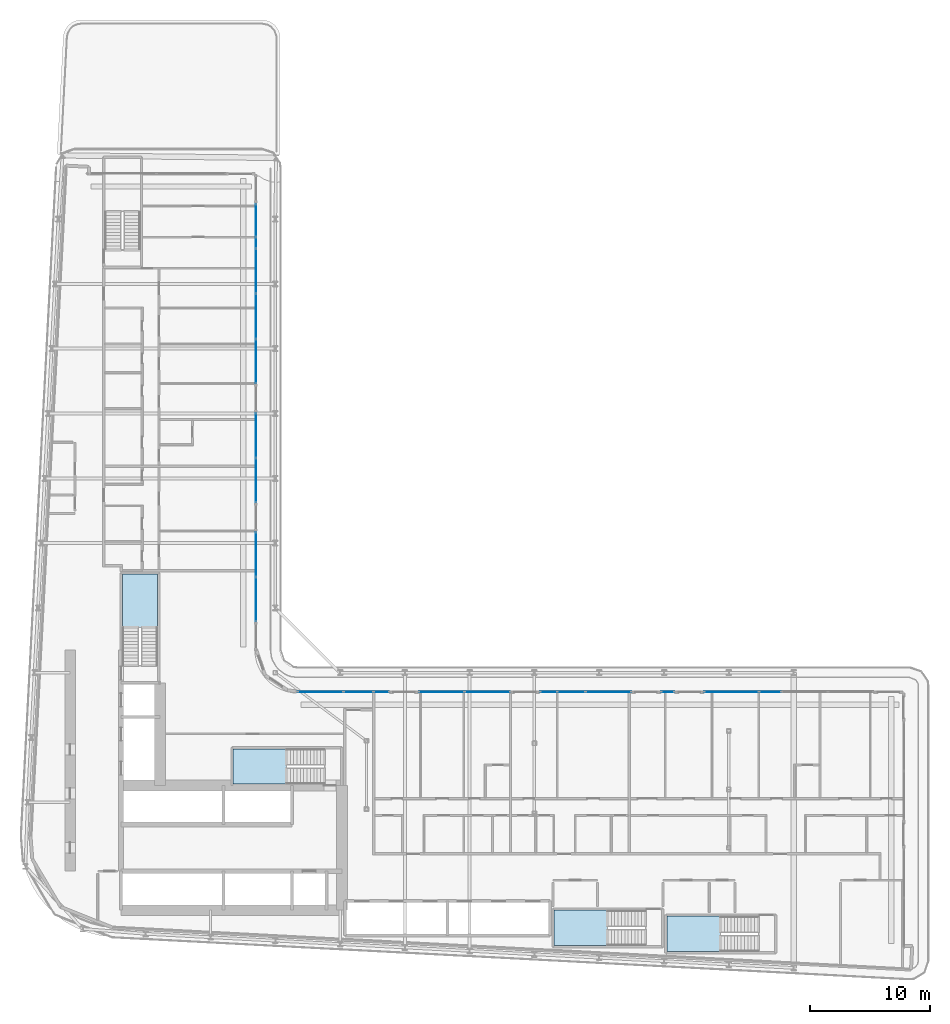
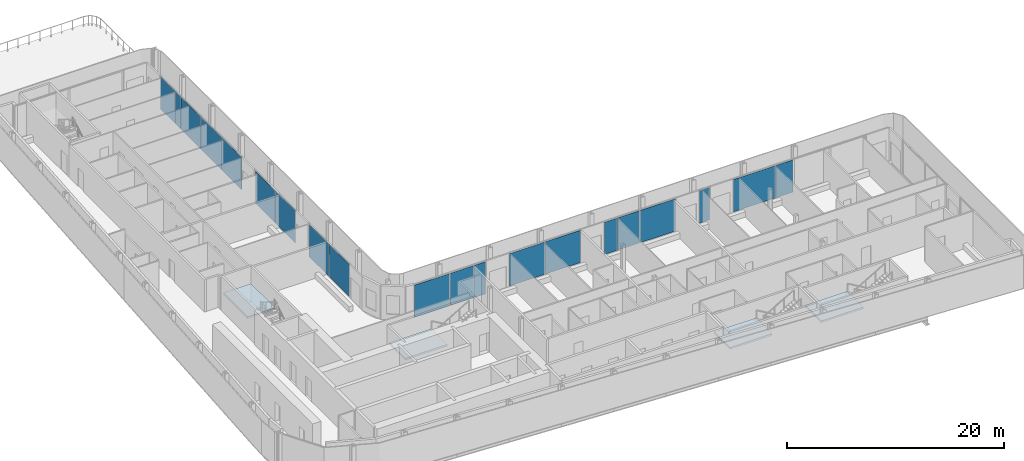
# One storey, part 10 of 28: 20 plates, 4 slabs, 13 elements without a shape of their own.
"""IFC4 building model written with IfcOpenShell, lengths in metres."""

from ifc_helpers import new_model, si_unit, direction, frame, origin, origin_2d, place, context, subcontext, project, spatial, polyline, rectangle, outline, extrude, material, layer, layer_set, type_object, element, aggregate, save


model = new_model("IFC4")

# Units and contexts
model_context = context("Model", 3, precision=1e-05, world=origin(), true_north=direction((0.0, 1.0)))
body_context = subcontext(model_context, "Body", "Model", "MODEL_VIEW")
ifc_project = project(units=[si_unit("LENGTHUNIT", "METRE"), si_unit("AREAUNIT", "SQUARE_METRE"), si_unit("VOLUMEUNIT", "CUBIC_METRE"), si_unit("PLANEANGLEUNIT", "RADIAN"), si_unit("MASSUNIT", "GRAM", prefix="KILO")], contexts=[model_context])

# Site, building, storey
site_placement = place(None, origin())
site = spatial("IfcSite", under=ifc_project, at=site_placement, CompositionType="ELEMENT")
building_placement = place(site_placement, origin())
building = spatial("IfcBuilding", under=site, at=building_placement, Name="Kheshtan School and Residences Tower", CompositionType="ELEMENT")
storey_placement = place(building_placement, frame((0.0, 0.0, 94.10009765625)))
storey = spatial("IfcBuildingStorey", under=building, at=storey_placement, Name="L21", CompositionType="ELEMENT", Elevation=94.10009765625)

# Curtain wall, plates
ifc_material_1 = material(Name="Clear low-e glass in thermally broken aluminium frame", Category="aluminium")
ifc_layer_1 = layer(ifc_material_1, 0.199951171875)
ifc_layer_set_1 = layer_set([ifc_layer_1], Name="Curtain wall CW-L")
curtain_wall_type = type_object("IfcCurtainWallType", Name="Curtain wall CW-L", PredefinedType="NOTDEFINED", material=ifc_layer_set_1)
curtain_wall_1_placement = place(storey_placement, origin())
curtain_wall_1 = element("IfcCurtainWall", 1, at=curtain_wall_1_placement, inside=storey, type_object=curtain_wall_type, Name="Curtain wall CWL4", PredefinedType="NOTDEFINED")
ifc_layer_2 = layer(ifc_material_1, 0.031982421875)
ifc_layer_set_2 = layer_set([ifc_layer_2], Name="CW-L glass panel")
plate_type = type_object("IfcPlateType", Name="CW-L glass panel", PredefinedType="CURTAIN_PANEL", material=ifc_layer_set_2)
plate_1_placement = place(storey_placement, frame((46.0, 83.284912109375, 0.0), z_axis=(0.0, 0.0, 1.0), x_axis=(0.0, -1.0, 0.0)))
plate_1 = element("IfcPlate", 2, at=plate_1_placement, type_object=plate_type, Name="CWL4 panel 1.1", PredefinedType="CURTAIN_PANEL", context=body_context, shape_type="SweptSolid", body=[
    extrude(rectangle(XDim=2.7099609375, YDim=0.031982421875, at=origin_2d()), origin(), (0.0, 0.0, 1.0), 3.6298828125),
])
plate_2_placement = place(storey_placement, frame((46.0, 81.420654296875, 0.0), z_axis=(0.0, 0.0, 1.0), x_axis=(0.0, -1.0, 0.0)))
plate_2 = element("IfcPlate", 3, at=plate_2_placement, type_object=plate_type, Name="CWL4 panel 2.1", PredefinedType="CURTAIN_PANEL", context=body_context, shape_type="SweptSolid", body=[
    extrude(rectangle(XDim=0.898681640625, YDim=0.031982421875, at=origin_2d()), origin(), (0.0, 0.0, 1.0), 3.6298828125),
])
plate_3_placement = place(storey_placement, frame((46.0, 79.076904296875, 0.0), z_axis=(0.0, 0.0, 1.0), x_axis=(0.0, -1.0, 0.0)))
plate_3 = element("IfcPlate", 4, at=plate_3_placement, type_object=plate_type, Name="CWL4 panel 3.1", PredefinedType="CURTAIN_PANEL", context=body_context, shape_type="SweptSolid", body=[
    extrude(rectangle(XDim=3.668701171875, YDim=0.031982421875, at=origin_2d()), origin(), (0.0, 0.0, 1.0), 3.6298828125),
])
aggregate(curtain_wall_1, [plate_1, plate_2, plate_3])

curtain_wall_2_placement = place(storey_placement, origin())
curtain_wall_2 = element("IfcCurtainWall", 5, at=curtain_wall_2_placement, inside=storey, type_object=curtain_wall_type, Name="Curtain wall CWL4a", PredefinedType="NOTDEFINED")
plate_4_placement = place(storey_placement, frame((46.0, 75.318115234375, 0.0), z_axis=(0.0, 0.0, 1.0), x_axis=(0.0, -1.0, 0.0)))
plate_4 = element("IfcPlate", 6, at=plate_4_placement, type_object=plate_type, Name="CWL4a panel 1.1", PredefinedType="CURTAIN_PANEL", context=body_context, shape_type="SweptSolid", body=[
    extrude(rectangle(XDim=3.728759765625, YDim=0.031982421875, at=origin_2d()), origin(), (0.0, 0.0, 1.0), 3.6298828125),
])
plate_5_placement = place(storey_placement, frame((46.0, 71.559326171875, 0.0), z_axis=(0.0, 0.0, 1.0), x_axis=(0.0, -1.0, 0.0)))
plate_5 = element("IfcPlate", 7, at=plate_5_placement, type_object=plate_type, Name="CWL4a panel 2.1", PredefinedType="CURTAIN_PANEL", context=body_context, shape_type="SweptSolid", body=[
    extrude(rectangle(XDim=3.668701171875, YDim=0.031982421875, at=origin_2d()), origin(), (0.0, 0.0, 1.0), 3.6298828125),
])
aggregate(curtain_wall_2, [plate_4, plate_5])

curtain_wall_3_placement = place(storey_placement, origin())
curtain_wall_3 = element("IfcCurtainWall", 8, at=curtain_wall_3_placement, inside=storey, type_object=curtain_wall_type, Name="Curtain wall CWL4a", PredefinedType="NOTDEFINED")
plate_6_placement = place(storey_placement, frame((46.0, 65.37060546875, 0.0), z_axis=(0.0, 0.0, 1.0), x_axis=(0.0, -1.0, 0.0)))
plate_6 = element("IfcPlate", 9, at=plate_6_placement, type_object=plate_type, Name="CWL4a panel 1.1", PredefinedType="CURTAIN_PANEL", context=body_context, shape_type="SweptSolid", body=[
    extrude(rectangle(XDim=3.668701171875, YDim=0.031982421875, at=origin_2d()), origin(), (0.0, 0.0, 1.0), 3.6298828125),
])
plate_7_placement = place(storey_placement, frame((46.0, 61.641845703125, 0.0), z_axis=(0.0, 0.0, 1.0), x_axis=(0.0, -1.0, 0.0)))
plate_7 = element("IfcPlate", 10, at=plate_7_placement, type_object=plate_type, Name="CWL4a panel 2.1", PredefinedType="CURTAIN_PANEL", context=body_context, shape_type="SweptSolid", body=[
    extrude(rectangle(XDim=3.668701171875, YDim=0.031982421875, at=origin_2d()), origin(), (0.0, 0.0, 1.0), 3.6298828125),
])
aggregate(curtain_wall_3, [plate_6, plate_7])

curtain_wall_4_placement = place(storey_placement, origin())
curtain_wall_4 = element("IfcCurtainWall", 11, at=curtain_wall_4_placement, inside=storey, type_object=curtain_wall_type, Name="Curtain wall CWL4a", PredefinedType="NOTDEFINED")
plate_8_placement = place(storey_placement, frame((46.0, 55.453125, 0.0), z_axis=(0.0, 0.0, 1.0), x_axis=(0.0, -1.0, 0.0)))
plate_8 = element("IfcPlate", 12, at=plate_8_placement, type_object=plate_type, Name="CWL4a panel 1.1", PredefinedType="CURTAIN_PANEL", context=body_context, shape_type="SweptSolid", body=[
    extrude(rectangle(XDim=3.668701171875, YDim=0.031982421875, at=origin_2d()), origin(), (0.0, 0.0, 1.0), 3.6298828125),
])
plate_9_placement = place(storey_placement, frame((46.0, 51.724365234375, 0.0), z_axis=(0.0, 0.0, 1.0), x_axis=(0.0, -1.0, 0.0)))
plate_9 = element("IfcPlate", 13, at=plate_9_placement, type_object=plate_type, Name="CWL4a panel 2.1", PredefinedType="CURTAIN_PANEL", context=body_context, shape_type="SweptSolid", body=[
    extrude(rectangle(XDim=3.668701171875, YDim=0.031982421875, at=origin_2d()), origin(), (0.0, 0.0, 1.0), 3.6298828125),
])
aggregate(curtain_wall_4, [plate_8, plate_9])

curtain_wall_5_placement = place(storey_placement, origin())
curtain_wall_5 = element("IfcCurtainWall", 14, at=curtain_wall_5_placement, inside=storey, type_object=curtain_wall_type, Name="Curtain wall CWL8c", PredefinedType="NOTDEFINED")
plate_10_placement = place(storey_placement, frame((51.368408203125, 44.0, 0.0), z_axis=(0.0, 0.0, 1.0), x_axis=(1.0, 0.0, 0.0)))
plate_10 = element("IfcPlate", 15, at=plate_10_placement, type_object=plate_type, Name="CWL8c panel 1.1", PredefinedType="CURTAIN_PANEL", context=body_context, shape_type="SweptSolid", body=[
    extrude(rectangle(XDim=3.757080078125, YDim=0.031982421875, at=origin_2d()), origin(), (0.0, 0.0, 1.0), 3.6298828125),
])
plate_11_placement = place(storey_placement, frame((54.53857421875, 44.0, 0.0), z_axis=(0.0, 0.0, 1.0), x_axis=(1.0, 0.0, 0.0)))
plate_11 = element("IfcPlate", 16, at=plate_11_placement, type_object=plate_type, Name="CWL8c panel 2.1", PredefinedType="CURTAIN_PANEL", context=body_context, shape_type="SweptSolid", body=[
    extrude(rectangle(XDim=2.462890625, YDim=0.031982421875, at=origin_2d()), origin(), (0.0, 0.0, 1.0), 3.6298828125),
])
plate_12_placement = place(storey_placement, frame((56.447021484375, 44.0, 0.0), z_axis=(0.0, 0.0, 1.0), x_axis=(1.0, 0.0, 0.0)))
plate_12 = element("IfcPlate", 17, at=plate_12_placement, type_object=plate_type, Name="CWL8c panel 3.1", PredefinedType="CURTAIN_PANEL", context=body_context, shape_type="SweptSolid", body=[
    extrude(rectangle(XDim=1.23388671875, YDim=0.031982421875, at=origin_2d()), origin(), (0.0, 0.0, 1.0), 3.6298828125),
])
aggregate(curtain_wall_5, [plate_10, plate_11, plate_12])

curtain_wall_6_placement = place(storey_placement, origin())
curtain_wall_6 = element("IfcCurtainWall", 18, at=curtain_wall_6_placement, inside=storey, type_object=curtain_wall_type, Name="Curtain wall CWL8", PredefinedType="NOTDEFINED")
plate_13_placement = place(storey_placement, frame((61.46240234375, 44.0, 0.0), z_axis=(0.0, 0.0, 1.0), x_axis=(1.0, 0.0, 0.0)))
plate_13 = element("IfcPlate", 19, at=plate_13_placement, type_object=plate_type, Name="CWL8 panel 1.1", PredefinedType="CURTAIN_PANEL", context=body_context, shape_type="SweptSolid", body=[
    extrude(rectangle(XDim=3.757080078125, YDim=0.031982421875, at=origin_2d()), origin(), (0.0, 0.0, 1.0), 3.6298828125),
])
plate_14_placement = place(storey_placement, frame((65.279541015625, 44.0, 0.0), z_axis=(0.0, 0.0, 1.0), x_axis=(1.0, 0.0, 0.0)))
plate_14 = element("IfcPlate", 20, at=plate_14_placement, type_object=plate_type, Name="CWL8 panel 2.1", PredefinedType="CURTAIN_PANEL", context=body_context, shape_type="SweptSolid", body=[
    extrude(rectangle(XDim=3.757080078125, YDim=0.031982421875, at=origin_2d()), origin(), (0.0, 0.0, 1.0), 3.6298828125),
])
aggregate(curtain_wall_6, [plate_13, plate_14])

curtain_wall_7_placement = place(storey_placement, origin())
curtain_wall_7 = element("IfcCurtainWall", 21, at=curtain_wall_7_placement, inside=storey, type_object=curtain_wall_type, Name="Curtain wall CWL8c", PredefinedType="NOTDEFINED")
plate_15_placement = place(storey_placement, frame((70.3740234375, 44.0, 0.0), z_axis=(0.0, 0.0, 1.0), x_axis=(1.0, 0.0, 0.0)))
plate_15 = element("IfcPlate", 22, at=plate_15_placement, type_object=plate_type, Name="CWL8c panel 1.1", PredefinedType="CURTAIN_PANEL", context=body_context, shape_type="SweptSolid", body=[
    extrude(rectangle(XDim=1.39208984375, YDim=0.031982421875, at=origin_2d()), origin(), (0.0, 0.0, 1.0), 3.6298828125),
])
plate_16_placement = place(storey_placement, frame((72.282470703125, 44.0, 0.0), z_axis=(0.0, 0.0, 1.0), x_axis=(1.0, 0.0, 0.0)))
plate_16 = element("IfcPlate", 23, at=plate_16_placement, type_object=plate_type, Name="CWL8c panel 2.1", PredefinedType="CURTAIN_PANEL", context=body_context, shape_type="SweptSolid", body=[
    extrude(rectangle(XDim=2.304931640625, YDim=0.031982421875, at=origin_2d()), origin(), (0.0, 0.0, 1.0), 3.6298828125),
])
plate_17_placement = place(storey_placement, frame((75.37353515625, 44.0, 0.0), z_axis=(0.0, 0.0, 1.0), x_axis=(1.0, 0.0, 0.0)))
plate_17 = element("IfcPlate", 24, at=plate_17_placement, type_object=plate_type, Name="CWL8c panel 3.1", PredefinedType="CURTAIN_PANEL", context=body_context, shape_type="SweptSolid", body=[
    extrude(rectangle(XDim=3.757080078125, YDim=0.031982421875, at=origin_2d()), origin(), (0.0, 0.0, 1.0), 3.6298828125),
])
aggregate(curtain_wall_7, [plate_15, plate_16, plate_17])

# Curtain wall, plate
curtain_wall_8_placement = place(storey_placement, origin())
curtain_wall_8 = element("IfcCurtainWall", 25, at=curtain_wall_8_placement, inside=storey, type_object=curtain_wall_type, Name="Curtain wall CWL8g", PredefinedType="NOTDEFINED")
plate_18_placement = place(storey_placement, frame((80.31201171875, 44.0, 0.0), z_axis=(0.0, 0.0, 1.0), x_axis=(1.0, 0.0, 0.0)))
plate_18 = element("IfcPlate", 26, at=plate_18_placement, type_object=plate_type, Name="CWL8g panel 1.1", PredefinedType="CURTAIN_PANEL", context=body_context, shape_type="SweptSolid", body=[
    extrude(rectangle(XDim=1.080078125, YDim=0.031982421875, at=origin_2d()), origin(), (0.0, 0.0, 1.0), 3.6298828125),
])
aggregate(curtain_wall_8, [plate_18])

# Curtain wall, plates
curtain_wall_9_placement = place(storey_placement, origin())
curtain_wall_9 = element("IfcCurtainWall", 27, at=curtain_wall_9_placement, inside=storey, type_object=curtain_wall_type, Name="Curtain wall CWL8k", PredefinedType="NOTDEFINED")
plate_19_placement = place(storey_placement, frame((85.62109375, 44.0, 0.0), z_axis=(0.0, 0.0, 1.0), x_axis=(1.0, 0.0, 0.0)))
plate_19 = element("IfcPlate", 28, at=plate_19_placement, type_object=plate_type, Name="CWL8k panel 1.1", PredefinedType="CURTAIN_PANEL", context=body_context, shape_type="SweptSolid", body=[
    extrude(rectangle(XDim=4.498046875, YDim=0.031982421875, at=origin_2d()), origin(), (0.0, 0.0, 1.0), 3.6298828125),
])
plate_20_placement = place(storey_placement, frame((88.837890625, 44.0, 0.0), z_axis=(0.0, 0.0, 1.0), x_axis=(1.0, 0.0, 0.0)))
plate_20 = element("IfcPlate", 29, at=plate_20_placement, type_object=plate_type, Name="CWL8k panel 2.1", PredefinedType="CURTAIN_PANEL", context=body_context, shape_type="SweptSolid", body=[
    extrude(rectangle(XDim=1.81591796875, YDim=0.031982421875, at=origin_2d()), origin(), (0.0, 0.0, 1.0), 3.6298828125),
])
aggregate(curtain_wall_9, [plate_19, plate_20])

# Stair, slab
ifc_material_2 = material(Name="Concrete C40/50", Category="concrete")
stair_type = type_object("IfcStairType", Name="Exit stair, half-turn", PredefinedType="HALF_TURN_STAIR", material=ifc_material_2)
stair_1_placement = place(storey_placement, origin())
stair_1 = element("IfcStair", 30, at=stair_1_placement, inside=storey, type_object=stair_type, Name="L21 Protected Exit Stair ST1", PredefinedType="HALF_TURN_STAIR")
ifc_layer_3 = layer(ifc_material_2, 0.199951171875)
ifc_layer_set_3 = layer_set([ifc_layer_3], Name="Stair landing 200 Concrete C40/50")
slab_type = type_object("IfcSlabType", Name="Stair landing 200 Concrete C40/50", PredefinedType="LANDING", material=ifc_layer_set_3)
slab_1_placement = place(storey_placement, frame((0.0, 0.0, 1.75)))
slab_1 = element("IfcSlab", 31, at=slab_1_placement, type_object=slab_type, Name="ST1 landing 1", PredefinedType="LANDING", context=body_context, shape_type="SweptSolid", body=[
    extrude(outline(polyline([(48.570068359375, 39.25), (44.090087890625, 39.25), (44.090087890625, 36.300048828125), (48.570068359375, 36.300048828125), (48.570068359375, 39.25)])), origin(), (0.0, 0.0, 1.0), 0.199951171875),
])
aggregate(stair_1, [slab_1])

stair_2_placement = place(storey_placement, origin())
stair_2 = element("IfcStair", 32, at=stair_2_placement, inside=storey, type_object=stair_type, Name="L21 Protected Exit Stair ST2", PredefinedType="HALF_TURN_STAIR")
slab_2_placement = place(storey_placement, frame((0.0, 0.0, 1.75)))
slab_2 = element("IfcSlab", 33, at=slab_2_placement, type_object=slab_type, Name="ST2 landing 1", PredefinedType="LANDING", context=body_context, shape_type="SweptSolid", body=[
    extrude(outline(polyline([(37.800048828125, 49.330078125), (37.800048828125, 53.81005859375), (34.85009765625, 53.81005859375), (34.85009765625, 49.330078125), (37.800048828125, 49.330078125)])), origin(), (0.0, 0.0, 1.0), 0.199951171875),
])
aggregate(stair_2, [slab_2])

stair_3_placement = place(storey_placement, origin())
stair_3 = element("IfcStair", 34, at=stair_3_placement, inside=storey, type_object=stair_type, Name="L21 Protected Exit Stair ST4", PredefinedType="HALF_TURN_STAIR")
slab_3_placement = place(storey_placement, frame((0.0, 0.0, 1.75)))
slab_3 = element("IfcSlab", 35, at=slab_3_placement, type_object=slab_type, Name="ST4 landing 1", PredefinedType="LANDING", context=body_context, shape_type="SweptSolid", body=[
    extrude(outline(polyline([(84.739990234375, 25.300048828125), (80.260009765625, 25.300048828125), (80.260009765625, 22.35009765625), (84.739990234375, 22.35009765625), (84.739990234375, 25.300048828125)])), origin(), (0.0, 0.0, 1.0), 0.199951171875),
])
aggregate(stair_3, [slab_3])

stair_4_placement = place(storey_placement, origin())
stair_4 = element("IfcStair", 36, at=stair_4_placement, inside=storey, type_object=stair_type, Name="L21 Protected Exit Stair ST5", PredefinedType="HALF_TURN_STAIR")
slab_4_placement = place(storey_placement, frame((0.0, 0.0, 1.75)))
slab_4 = element("IfcSlab", 37, at=slab_4_placement, type_object=slab_type, Name="ST5 landing 1", PredefinedType="LANDING", context=body_context, shape_type="SweptSolid", body=[
    extrude(outline(polyline([(75.330078125, 25.800048828125), (70.85009765625, 25.800048828125), (70.85009765625, 22.85009765625), (75.330078125, 22.85009765625), (75.330078125, 25.800048828125)])), origin(), (0.0, 0.0, 1.0), 0.199951171875),
])
aggregate(stair_4, [slab_4])

save(model, "model.ifc")
